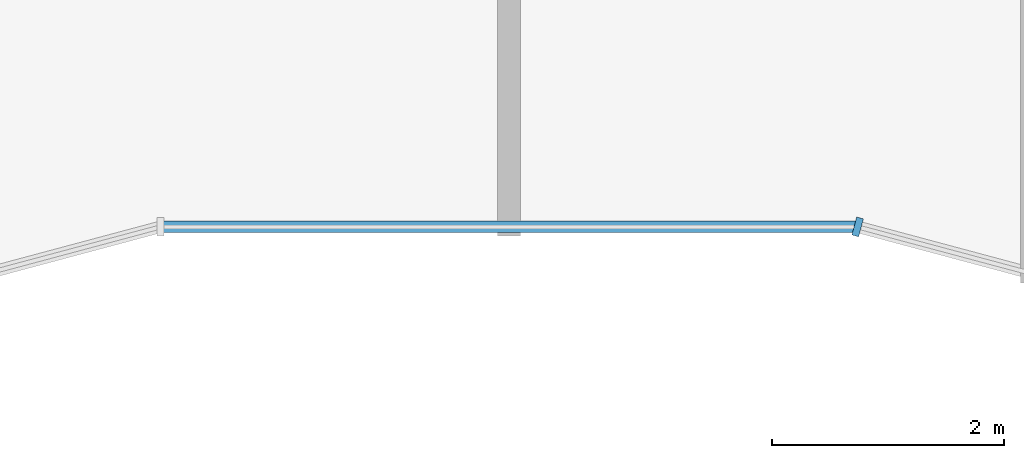
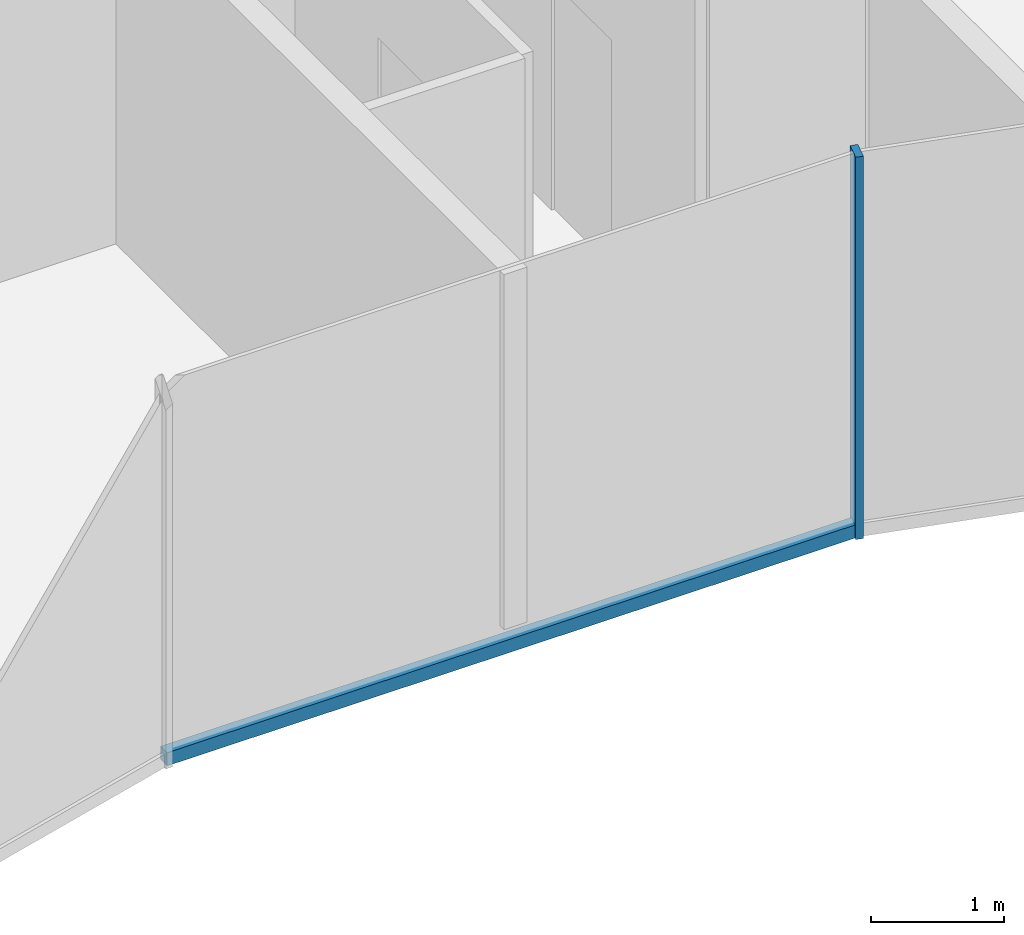
# One storey, part 3 of 16: 2 members, 2 elements without a shape of their own.
"""IFC4 building model written with IfcOpenShell, lengths in metres."""

from ifc_helpers import new_model, si_unit, direction, frame, origin, origin_2d, place, context, subcontext, project, spatial, rectangle, extrude, material, layer, layer_set, material_profile, profile_set, type_object, element, aggregate, save


model = new_model("IFC4")

# Units and contexts
model_context = context("Model", 3, precision=1e-05, world=origin(), true_north=direction((0.0, 1.0)))
body_context = subcontext(model_context, "Body", "Model", "MODEL_VIEW")
ifc_project = project(units=[si_unit("LENGTHUNIT", "METRE"), si_unit("AREAUNIT", "SQUARE_METRE"), si_unit("VOLUMEUNIT", "CUBIC_METRE"), si_unit("PLANEANGLEUNIT", "RADIAN"), si_unit("MASSUNIT", "GRAM", prefix="KILO")], contexts=[model_context])

# Site, building, storey
site_placement = place(None, origin())
site = spatial("IfcSite", under=ifc_project, at=site_placement, CompositionType="ELEMENT")
building_placement = place(site_placement, origin())
building = spatial("IfcBuilding", under=site, at=building_placement, Name="Plateau Cross Towers", CompositionType="ELEMENT")
storey_placement = place(building_placement, frame((0.0, 0.0, 163.89990234375)))
storey = spatial("IfcBuildingStorey", under=building, at=storey_placement, Name="L42", CompositionType="ELEMENT", Elevation=163.89990234375)

# Curtain wall, member
ifc_material_1 = material(Name="Dark low-iron glass", Category="glass")
ifc_layer = layer(ifc_material_1, 0.260009765625)
ifc_layer_set = layer_set([ifc_layer], Name="Dark low-iron glass")
curtain_wall_type = type_object("IfcCurtainWallType", Name="Curtain wall fluted unitised CW-A", PredefinedType="NOTDEFINED", material=ifc_layer_set)
curtain_wall_1_placement = place(storey_placement, origin())
curtain_wall_1 = element("IfcCurtainWall", 1, at=curtain_wall_1_placement, inside=storey, type_object=curtain_wall_type, Name="ENV/A/L42/A300_16", PredefinedType="NOTDEFINED")
ifc_material_2 = material(Name="Black anodised aluminium", Category="aluminium")
ifc_material_profile_1 = material_profile(ifc_material_2, rectangle(XDim=0.06005859375, YDim=0.159912109375, at=origin_2d()), Name="MULLION 60x160")
ifc_profile_set_1 = profile_set([ifc_material_profile_1], Name="Black anodised aluminium")
member_type_1 = type_object("IfcMemberType", Name="Mullion 60x160 fluted unitised", PredefinedType="MULLION", material=ifc_profile_set_1)
member_1_placement = place(storey_placement, frame((30.0, 1.60693359375, -0.25), z_axis=(0.0, 0.0, 1.0), x_axis=(0.965957983404, -0.258699003279, 0.0)))
member_1 = element("IfcMember", 2, at=member_1_placement, type_object=member_type_1, Name="CW-A mullion 1", PredefinedType="MULLION", context=body_context, shape_type="SweptSolid", body=[
    extrude(rectangle(XDim=0.06005859375, YDim=0.159912109375, at=origin_2d()), origin(), (0.0, 0.0, 1.0), 3.5),
])
aggregate(curtain_wall_1, [member_1])

curtain_wall_2_placement = place(storey_placement, origin())
curtain_wall_2 = element("IfcCurtainWall", 3, at=curtain_wall_2_placement, inside=storey, type_object=curtain_wall_type, Name="ENV/A/L42/A240_16", PredefinedType="NOTDEFINED")
ifc_material_profile_2 = material_profile(ifc_material_2, rectangle(XDim=0.10009765625, YDim=0.1201171875, at=origin_2d()), Name="TRANSOM 100x120")
ifc_profile_set_2 = profile_set([ifc_material_profile_2], Name="Black anodised aluminium")
member_type_2 = type_object("IfcMemberType", Name="Transom 100x120 fluted unitised", PredefinedType="USERDEFINED", material=ifc_profile_set_2)
member_2_placement = place(storey_placement, frame((24.0, 1.60693359375, -0.18994140625), z_axis=(1.0, 0.0, 0.0), x_axis=(0.0, 1.0, 0.0)))
member_2 = element("IfcMember", 4, at=member_2_placement, type_object=member_type_2, Name="CW-A transom", ObjectType="TRANSOM", PredefinedType="USERDEFINED", context=body_context, shape_type="SweptSolid", body=[
    extrude(rectangle(XDim=0.10009765625, YDim=0.1201171875, at=origin_2d()), origin(), (0.0, 0.0, 1.0), 6.0),
])
aggregate(curtain_wall_2, [member_2])

save(model, "model.ifc")
